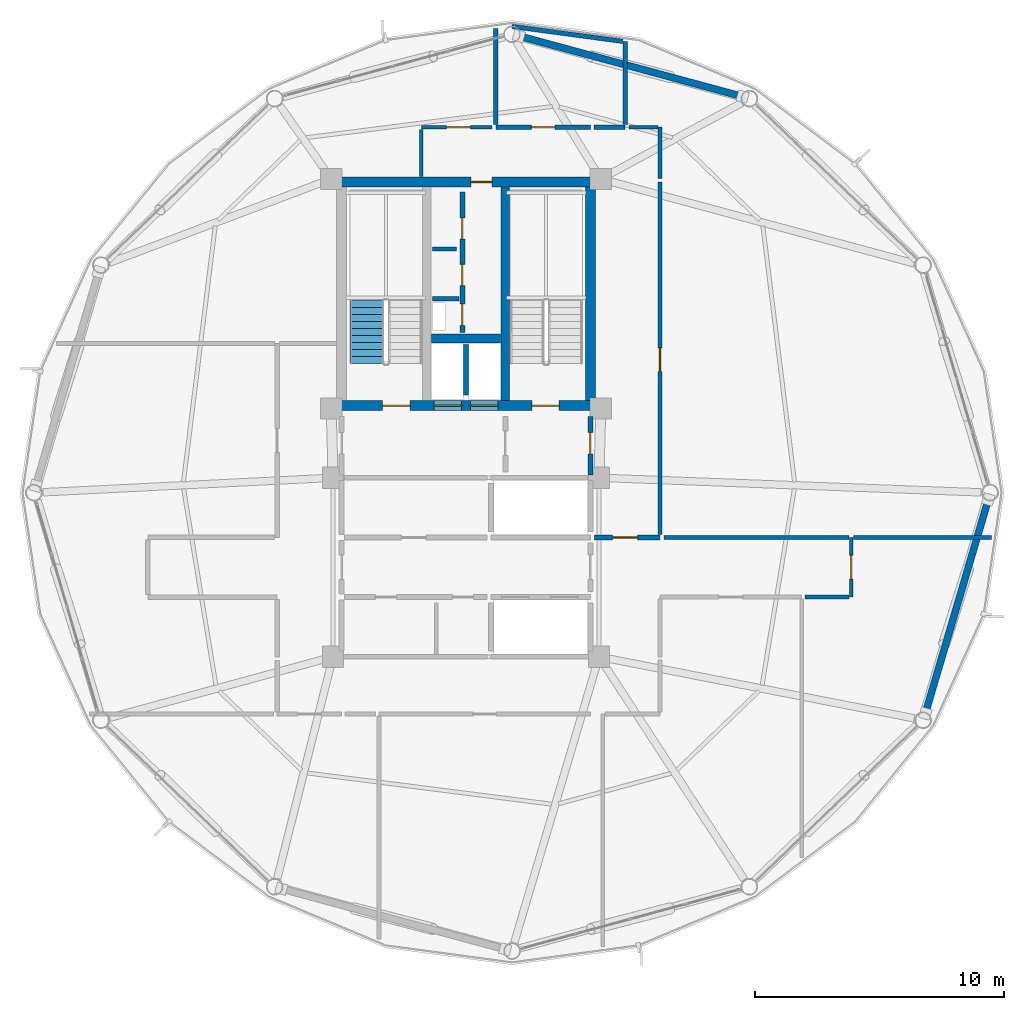
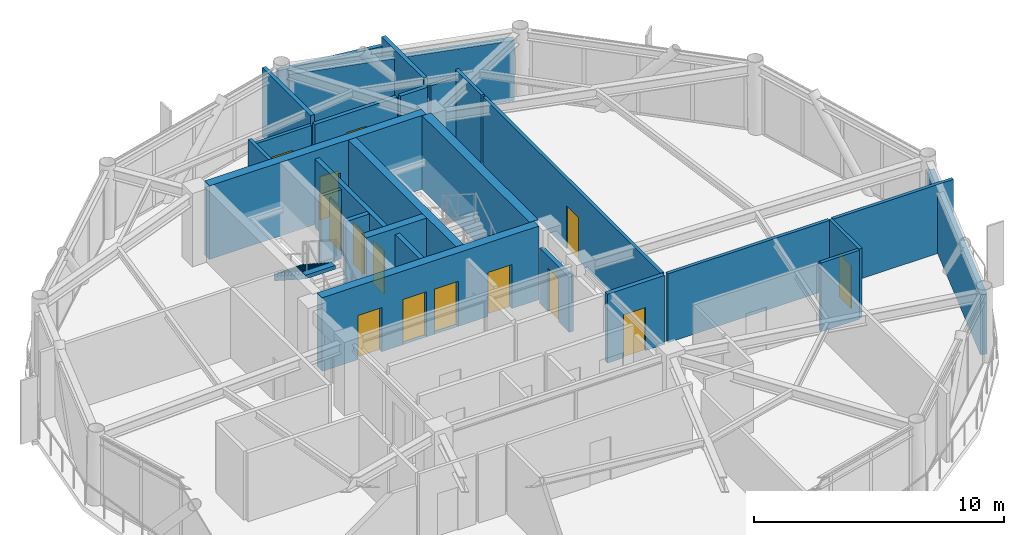
# One storey, part 24 of 28: 27 walls, 14 doors, 1 stair flight, 14 openings, 1 element without a shape of its own.
"""IFC4 building model written with IfcOpenShell, lengths in metres."""

from ifc_helpers import new_model, si_unit, direction, frame, frame_2d, origin, place, context, subcontext, project, spatial, polyline, rectangle, outline, extrude, material, layer, layer_set, type_object, element, fill, aggregate, save


model = new_model("IFC4")

# Units and contexts
model_context = context("Model", 3, precision=1e-05, world=origin(), true_north=direction((0.0, 1.0)))
body_context = subcontext(model_context, "Body", "Model", "MODEL_VIEW")
ifc_project = project(units=[si_unit("LENGTHUNIT", "METRE"), si_unit("AREAUNIT", "SQUARE_METRE"), si_unit("VOLUMEUNIT", "CUBIC_METRE"), si_unit("PLANEANGLEUNIT", "RADIAN"), si_unit("MASSUNIT", "GRAM", prefix="KILO")], contexts=[model_context])

# Site, building, storey
site_placement = place(None, origin())
site = spatial("IfcSite", under=ifc_project, at=site_placement, CompositionType="ELEMENT")
building_placement = place(site_placement, origin())
building = spatial("IfcBuilding", under=site, at=building_placement, Name="Varnakorn Sky Granary", CompositionType="ELEMENT")
storey_placement = place(building_placement, frame((0.0, 0.0, 207.60009765625)))
storey = spatial("IfcBuildingStorey", under=building, at=storey_placement, Name="L52", CompositionType="ELEMENT", Elevation=207.60009765625)

# Walls
ifc_material_1 = material(Name="Concrete C50/60", Category="concrete")
ifc_layer_1 = layer(ifc_material_1, 0.35009765625, Name="Concrete C50/60")
ifc_layer_set_1 = layer_set([ifc_layer_1], Name="Concrete C50/60")
wall_type_1 = type_object("IfcWallType", Name="WT-CW-INT-350", PredefinedType="SHEAR", material=ifc_layer_set_1)
wall_1_placement = place(storey_placement, frame((4.580078125, 3.7099609375, 0.0), z_axis=(0.0, 0.0, 1.0), x_axis=(0.0, 1.0, 0.0)))
element("IfcWall", 1, at=wall_1_placement, inside=storey, type_object=wall_type_1, Name="Stair ST-2 Core Wall L52", PredefinedType="SHEAR", context=body_context, shape_type="SweptSolid", body=[
    extrude(rectangle(XDim=8.580078125, YDim=0.35009765625, at=frame_2d((4.2900390625, 0.0))), origin(), (0.0, 0.0, 1.0), 3.591796875),
])
wall_2_placement = place(storey_placement, frame((1.610107421875, 6.199951171875, 0.0), z_axis=(0.0, 0.0, 1.0), x_axis=(1.0, 0.0, 0.0)))
element("IfcWall", 2, at=wall_2_placement, inside=storey, type_object=wall_type_1, Name="Core Lift Shaft Cross Wall L52", PredefinedType="SHEAR", context=body_context, shape_type="SweptSolid", body=[
    extrude(rectangle(XDim=2.77978515625, YDim=0.35009765625, at=frame_2d((1.389892578125, 0.0))), origin(), (0.0, 0.0, 1.0), 3.591796875),
])

# Wall, openings, doors
ifc_layer_2 = layer(ifc_material_1, 0.39990234375, Name="Concrete C50/60")
ifc_layer_set_2 = layer_set([ifc_layer_2], Name="Concrete C50/60")
wall_type_2 = type_object("IfcWallType", Name="WT-CW-SHEAR-400", PredefinedType="SHEAR", material=ifc_layer_set_2)
wall_3_placement = place(storey_placement, frame((-2.0, 3.5, 0.0), z_axis=(0.0, 0.0, 1.0), x_axis=(1.0, 0.0, 0.0)))
wall_3 = element("IfcWall", 3, at=wall_3_placement, inside=storey, type_object=wall_type_2, Name="Core South Shear Wall L52", PredefinedType="SHEAR", context=body_context, shape_type="SweptSolid", body=[
    extrude(rectangle(XDim=10.0, YDim=0.39990234375, at=frame_2d((5.0, 0.0))), origin(), (0.0, 0.0, 1.0), 3.591796875),
])
opening_1_placement = place(wall_3_placement, frame((1.64990234375, 0.0, 0.0)))
opening_1 = element("IfcOpeningElement", 4, at=opening_1_placement, cuts=wall_3, Name="Opening FD-90", PredefinedType="OPENING", context=body_context, shape_type="SweptSolid", body=[
    extrude(rectangle(XDim=1.10009765625, YDim=2.14990234375, at=frame_2d((0.550048828125, 1.074951171875))), frame((0.0, 0.2099609375, 0.0), z_axis=(0.0, -1.0, 0.0), x_axis=(1.0, 0.0, 0.0)), (0.0, 0.0, 1.0), 0.419921875),
])
opening_2_placement = place(wall_3_placement, frame((7.64990234375, 0.0, 0.0)))
opening_2 = element("IfcOpeningElement", 5, at=opening_2_placement, cuts=wall_3, Name="Opening FD-90", PredefinedType="OPENING", context=body_context, shape_type="SweptSolid", body=[
    extrude(rectangle(XDim=1.10009765625, YDim=2.14990234375, at=frame_2d((0.550048828125, 1.074951171875))), frame((0.0, 0.2099609375, 0.0), z_axis=(0.0, -1.0, 0.0), x_axis=(1.0, 0.0, 0.0)), (0.0, 0.0, 1.0), 0.419921875),
])
opening_3_placement = place(wall_3_placement, frame((3.719970703125, 0.0, 0.0)))
opening_3 = element("IfcOpeningElement", 6, at=opening_3_placement, cuts=wall_3, Name="Opening LD-01", PredefinedType="OPENING", context=body_context, shape_type="SweptSolid", body=[
    extrude(rectangle(XDim=1.10009765625, YDim=2.199951171875, at=frame_2d((0.550048828125, 1.10009765625))), frame((0.0, 0.2099609375, 0.0), z_axis=(0.0, -1.0, 0.0), x_axis=(1.0, 0.0, 0.0)), (0.0, 0.0, 1.0), 0.419921875),
])
opening_4_placement = place(wall_3_placement, frame((5.179931640625, 0.0, 0.0)))
opening_4 = element("IfcOpeningElement", 7, at=opening_4_placement, cuts=wall_3, Name="Opening LD-01", PredefinedType="OPENING", context=body_context, shape_type="SweptSolid", body=[
    extrude(rectangle(XDim=1.10009765625, YDim=2.199951171875, at=frame_2d((0.550048828125, 1.10009765625))), frame((0.0, 0.2099609375, 0.0), z_axis=(0.0, -1.0, 0.0), x_axis=(1.0, 0.0, 0.0)), (0.0, 0.0, 1.0), 0.419921875),
])
ifc_material_2 = material(Name="Brushed Bronze Stainless Steel", Category="steel")
door_type_1 = type_object("IfcDoorType", Name="DR-LD-1100", OperationType="DOUBLE_DOOR_SLIDING", PredefinedType="DOOR", material=ifc_material_2)
door_1_placement = place(opening_3_placement, origin())
door_1 = element("IfcDoor", 8, at=door_1_placement, inside=storey, type_object=door_type_1, Name="Firefighting Lift FFL-1 Landing Door L52", OperationType="DOUBLE_DOOR_SLIDING", OverallHeight=2.199951171875, OverallWidth=1.10009765625, PredefinedType="DOOR", context=body_context, shape_type="SweptSolid", body=[
    extrude(rectangle(XDim=1.10009765625, YDim=2.199951171875, at=frame_2d((0.550048828125, 1.10009765625))), frame((0.0, 0.02490234375, 0.0), z_axis=(0.0, -1.0, 0.0), x_axis=(1.0, 0.0, 0.0)), (0.0, 0.0, 1.0), 0.050048828125),
])
fill(opening_3, door_1)
door_2_placement = place(opening_4_placement, origin())
door_2 = element("IfcDoor", 9, at=door_2_placement, inside=storey, type_object=door_type_1, Name="Firefighting Lift FFL-2 Landing Door L52", OperationType="DOUBLE_DOOR_SLIDING", OverallHeight=2.199951171875, OverallWidth=1.10009765625, PredefinedType="DOOR", context=body_context, shape_type="SweptSolid", body=[
    extrude(rectangle(XDim=1.10009765625, YDim=2.199951171875, at=frame_2d((0.550048828125, 1.10009765625))), frame((0.0, 0.02490234375, 0.0), z_axis=(0.0, -1.0, 0.0), x_axis=(1.0, 0.0, 0.0)), (0.0, 0.0, 1.0), 0.050048828125),
])
fill(opening_4, door_2)
ifc_material_3 = material(Name="Galvanised Painted Steel Leaf", Category="steel")
door_type_2 = type_object("IfcDoorType", Name="DR-STAIR-1100", OperationType="NOTDEFINED", PredefinedType="DOOR", material=ifc_material_3)
door_3_placement = place(opening_1_placement, origin())
door_3 = element("IfcDoor", 10, at=door_3_placement, inside=storey, type_object=door_type_2, Name="Stair ST-1 Protected Fire Door L52", OperationType="SINGLE_SWING_LEFT", OverallHeight=2.14990234375, OverallWidth=1.10009765625, PredefinedType="DOOR", context=body_context, shape_type="SweptSolid", body=[
    extrude(rectangle(XDim=1.10009765625, YDim=2.14990234375, at=frame_2d((0.550048828125, 1.074951171875))), frame((0.0, 0.02490234375, 0.0), z_axis=(0.0, -1.0, 0.0), x_axis=(1.0, 0.0, 0.0)), (0.0, 0.0, 1.0), 0.050048828125),
])
fill(opening_1, door_3)
door_4_placement = place(opening_2_placement, origin())
door_4 = element("IfcDoor", 11, at=door_4_placement, inside=storey, type_object=door_type_2, Name="Stair ST-2 Protected Fire Door L52", OperationType="SINGLE_SWING_RIGHT", OverallHeight=2.14990234375, OverallWidth=1.10009765625, PredefinedType="DOOR", context=body_context, shape_type="SweptSolid", body=[
    extrude(rectangle(XDim=1.10009765625, YDim=2.14990234375, at=frame_2d((0.550048828125, 1.074951171875))), frame((0.0, 0.02490234375, 0.0), z_axis=(0.0, -1.0, 0.0), x_axis=(1.0, 0.0, 0.0)), (0.0, 0.0, 1.0), 0.050048828125),
])
fill(opening_2, door_4)

# Wall, opening, door
wall_4_placement = place(storey_placement, frame((-2.0, 12.5, 0.0), z_axis=(0.0, 0.0, 1.0), x_axis=(1.0, 0.0, 0.0)))
wall_4 = element("IfcWall", 12, at=wall_4_placement, inside=storey, type_object=wall_type_2, Name="Core North Shear Wall L52", PredefinedType="SHEAR", context=body_context, shape_type="SweptSolid", body=[
    extrude(rectangle(XDim=10.0, YDim=0.39990234375, at=frame_2d((5.0, 0.0))), origin(), (0.0, 0.0, 1.0), 3.591796875),
])
opening_5_placement = place(wall_4_placement, frame((5.199951171875, 0.0, 0.0)))
opening_5 = element("IfcOpeningElement", 13, at=opening_5_placement, cuts=wall_4, Name="Opening FD-60N", PredefinedType="OPENING", context=body_context, shape_type="SweptSolid", body=[
    extrude(rectangle(XDim=0.85009765625, YDim=2.10009765625, at=frame_2d((0.425048828125, 1.050048828125))), frame((0.0, 0.2099609375, 0.0), z_axis=(0.0, -1.0, 0.0), x_axis=(1.0, 0.0, 0.0)), (0.0, 0.0, 1.0), 0.419921875),
])
ifc_material_4 = material(Name="Acoustic Timber Fire Leaf", Category="wood")
door_type_3 = type_object("IfcDoorType", Name="DR-FD60-850", OperationType="NOTDEFINED", PredefinedType="DOOR", material=ifc_material_4)
door_5_placement = place(opening_5_placement, origin())
door_5 = element("IfcDoor", 14, at=door_5_placement, inside=storey, type_object=door_type_3, Name="Core North Service Door L52", OperationType="SINGLE_SWING_RIGHT", OverallHeight=2.10009765625, OverallWidth=0.85009765625, PredefinedType="DOOR", context=body_context, shape_type="SweptSolid", body=[
    extrude(rectangle(XDim=0.85009765625, YDim=2.10009765625, at=frame_2d((0.425048828125, 1.050048828125))), frame((0.0, 0.02490234375, 0.0), z_axis=(0.0, -1.0, 0.0), x_axis=(1.0, 0.0, 0.0)), (0.0, 0.0, 1.0), 0.050048828125),
])
fill(opening_5, door_5)

# Walls
wall_5_placement = place(storey_placement, frame((8.0, 3.7099609375, 0.0), z_axis=(0.0, 0.0, 1.0), x_axis=(0.0, 1.0, 0.0)))
element("IfcWall", 15, at=wall_5_placement, inside=storey, type_object=wall_type_2, Name="Core East Shear Wall L52", PredefinedType="SHEAR", context=body_context, shape_type="SweptSolid", body=[
    extrude(rectangle(XDim=8.580078125, YDim=0.39990234375, at=frame_2d((4.2900390625, 0.0))), origin(), (0.0, 0.0, 1.0), 3.591796875),
])
ifc_material_5 = material(Name="Precast concrete C40/50", Category="concrete")
ifc_layer_3 = layer(ifc_material_5, 0.280029296875, Name="Precast concrete C40/50")
ifc_layer_set_3 = layer_set([ifc_layer_3], Name="Precast concrete C40/50")
wall_type_3 = type_object("IfcWallType", Name="WT-EW-CRN-280", PredefinedType="SOLIDWALL", material=ifc_layer_set_3)
wall_6_placement = place(storey_placement, frame((5.125, 18.37060546875, 0.0), z_axis=(0.0, 0.0, 1.0), x_axis=(0.965198020843, -0.261520134139, 0.0)))
element("IfcWall", 16, at=wall_6_placement, inside=storey, type_object=wall_type_3, Name="Agritech Insulated Precast Facade Wall L52-P03", PredefinedType="SOLIDWALL", context=body_context, shape_type="SweptSolid", body=[
    extrude(rectangle(XDim=9.3271484375, YDim=0.280029296875, at=frame_2d((4.66357421875, 0.0))), origin(), (0.0, 0.0, 1.0), 2.929931640625),
])
wall_7_placement = place(storey_placement, frame((24.009521484375, -0.2734375, 0.0), z_axis=(0.0, 0.0, 1.0), x_axis=(-0.282359283475, -0.959308727697, 0.0)))
element("IfcWall", 17, at=wall_7_placement, inside=storey, type_object=wall_type_3, Name="Agritech Insulated Precast Facade Wall L52-P12", PredefinedType="SOLIDWALL", context=body_context, shape_type="SweptSolid", body=[
    extrude(rectangle(XDim=8.973388671875, YDim=0.280029296875, at=frame_2d((4.48681640625, 0.0))), origin(), (0.0, 0.0, 1.0), 2.929931640625),
])

# Wall, openings, doors
ifc_material_6 = material(Name="Autoclaved Aerated Concrete Blockwork", Category="masonry")
ifc_layer_4 = layer(ifc_material_6, 0.199951171875, Name="Autoclaved Aerated Concrete Blockwork")
ifc_layer_set_4 = layer_set([ifc_layer_4], Name="Autoclaved Aerated Concrete Blockwork")
wall_type_4 = type_object("IfcWallType", Name="WT-FIRE-200", PredefinedType="MOVABLE", material=ifc_layer_set_4)
wall_8_placement = place(storey_placement, frame((2.85009765625, 6.449951171875, 0.0), z_axis=(0.0, 0.0, 1.0), x_axis=(0.0, 1.0, 0.0)))
wall_8 = element("IfcWall", 18, at=wall_8_placement, inside=storey, type_object=wall_type_4, Name="Interior Partition Wall L52-011", PredefinedType="MOVABLE", context=body_context, shape_type="SweptSolid", body=[
    extrude(rectangle(XDim=5.650146484375, YDim=0.199951171875, at=frame_2d((2.8251953125, 0.0))), origin(), (0.0, 0.0, 1.0), 3.35986328125),
])
opening_6_placement = place(wall_8_placement, frame((1.8798828125, 0.0, 0.0)))
opening_6 = element("IfcOpeningElement", 19, at=opening_6_placement, cuts=wall_8, Name="Opening RD-85", PredefinedType="OPENING", context=body_context, shape_type="SweptSolid", body=[
    extrude(rectangle(XDim=0.85009765625, YDim=2.050048828125, at=frame_2d((0.425048828125, 1.02490234375))), frame((0.0, 0.10986328125, 0.0), z_axis=(0.0, -1.0, 0.0), x_axis=(1.0, 0.0, 0.0)), (0.0, 0.0, 1.0), 0.219970703125),
])
opening_7_placement = place(wall_8_placement, frame((3.75, 0.0, 0.0)))
opening_7 = element("IfcOpeningElement", 20, at=opening_7_placement, cuts=wall_8, Name="Opening FD-60N", PredefinedType="OPENING", context=body_context, shape_type="SweptSolid", body=[
    extrude(rectangle(XDim=0.85009765625, YDim=2.10009765625, at=frame_2d((0.425048828125, 1.050048828125))), frame((0.0, 0.10986328125, 0.0), z_axis=(0.0, -1.0, 0.0), x_axis=(1.0, 0.0, 0.0)), (0.0, 0.0, 1.0), 0.219970703125),
])
opening_8_placement = place(wall_8_placement, frame((0.280029296875, 0.0, 0.0)))
opening_8 = element("IfcOpeningElement", 21, at=opening_8_placement, cuts=wall_8, Name="Opening FD-60N", PredefinedType="OPENING", context=body_context, shape_type="SweptSolid", body=[
    extrude(rectangle(XDim=0.85009765625, YDim=2.10009765625, at=frame_2d((0.425048828125, 1.050048828125))), frame((0.0, 0.10986328125, 0.0), z_axis=(0.0, -1.0, 0.0), x_axis=(1.0, 0.0, 0.0)), (0.0, 0.0, 1.0), 0.219970703125),
])
door_6_placement = place(opening_7_placement, origin())
door_6 = element("IfcDoor", 22, at=door_6_placement, inside=storey, type_object=door_type_3, Name="Interior Door L52-011-2", OperationType="SINGLE_SWING_LEFT", OverallHeight=2.10009765625, OverallWidth=0.85009765625, PredefinedType="DOOR", context=body_context, shape_type="SweptSolid", body=[
    extrude(rectangle(XDim=0.85009765625, YDim=2.10009765625, at=frame_2d((0.425048828125, 1.050048828125))), frame((0.0, 0.02490234375, 0.0), z_axis=(0.0, -1.0, 0.0), x_axis=(1.0, 0.0, 0.0)), (0.0, 0.0, 1.0), 0.050048828125),
])
fill(opening_7, door_6)
door_7_placement = place(opening_8_placement, origin())
door_7 = element("IfcDoor", 23, at=door_7_placement, inside=storey, type_object=door_type_3, Name="Interior Door L52-011-3", OperationType="SINGLE_SWING_RIGHT", OverallHeight=2.10009765625, OverallWidth=0.85009765625, PredefinedType="DOOR", context=body_context, shape_type="SweptSolid", body=[
    extrude(rectangle(XDim=0.85009765625, YDim=2.10009765625, at=frame_2d((0.425048828125, 1.050048828125))), frame((0.0, 0.02490234375, 0.0), z_axis=(0.0, -1.0, 0.0), x_axis=(1.0, 0.0, 0.0)), (0.0, 0.0, 1.0), 0.050048828125),
])
fill(opening_8, door_7)
door_type_4 = type_object("IfcDoorType", Name="DR-RIS-850", OperationType="NOTDEFINED", PredefinedType="DOOR", material=ifc_material_3)
door_8_placement = place(opening_6_placement, origin())
door_8 = element("IfcDoor", 24, at=door_8_placement, inside=storey, type_object=door_type_4, Name="MEP Riser Shaft Access Door L52-011-1", OperationType="SINGLE_SWING_RIGHT", OverallHeight=2.050048828125, OverallWidth=0.85009765625, PredefinedType="DOOR", context=body_context, shape_type="SweptSolid", body=[
    extrude(rectangle(XDim=0.85009765625, YDim=2.050048828125, at=frame_2d((0.425048828125, 1.02490234375))), frame((0.0, 0.02490234375, 0.0), z_axis=(0.0, -1.0, 0.0), x_axis=(1.0, 0.0, 0.0)), (0.0, 0.0, 1.0), 0.050048828125),
])
fill(opening_6, door_8)

# Wall, opening, door
wall_9_placement = place(storey_placement, frame((8.0, 0.719970703125, 0.0), z_axis=(0.0, 0.0, 1.0), x_axis=(0.0, 1.0, 0.0)))
wall_9 = element("IfcWall", 25, at=wall_9_placement, inside=storey, type_object=wall_type_4, Name="Interior Partition Wall L52-014", PredefinedType="MOVABLE", context=body_context, shape_type="SweptSolid", body=[
    extrude(rectangle(XDim=2.35009765625, YDim=0.199951171875, at=frame_2d((1.175048828125, 0.0))), origin(), (0.0, 0.0, 1.0), 2.69189453125),
])
opening_9_placement = place(wall_9_placement, frame((0.844970703125, 0.0, 0.0)))
opening_9 = element("IfcOpeningElement", 26, at=opening_9_placement, cuts=wall_9, Name="Opening FD-60N", PredefinedType="OPENING", context=body_context, shape_type="SweptSolid", body=[
    extrude(rectangle(XDim=0.85009765625, YDim=2.10009765625, at=frame_2d((0.425048828125, 1.050048828125))), frame((0.0, 0.10986328125, 0.0), z_axis=(0.0, -1.0, 0.0), x_axis=(1.0, 0.0, 0.0)), (0.0, 0.0, 1.0), 0.219970703125),
])
door_9_placement = place(opening_9_placement, origin())
door_9 = element("IfcDoor", 27, at=door_9_placement, inside=storey, type_object=door_type_3, Name="Interior Door L52-014-1", OperationType="SINGLE_SWING_LEFT", OverallHeight=2.10009765625, OverallWidth=0.85009765625, PredefinedType="DOOR", context=body_context, shape_type="SweptSolid", body=[
    extrude(rectangle(XDim=0.85009765625, YDim=2.10009765625, at=frame_2d((0.425048828125, 1.050048828125))), frame((0.0, 0.02490234375, 0.0), z_axis=(0.0, -1.0, 0.0), x_axis=(1.0, 0.0, 0.0)), (0.0, 0.0, 1.0), 0.050048828125),
])
fill(opening_9, door_9)

wall_10_placement = place(storey_placement, frame((8.159912109375, -1.800048828125, 0.0), z_axis=(0.0, 0.0, 1.0), x_axis=(1.0, 0.0, 0.0)))
wall_10 = element("IfcWall", 28, at=wall_10_placement, inside=storey, type_object=wall_type_4, Name="Interior Partition Wall L52-019", PredefinedType="MOVABLE", context=body_context, shape_type="SweptSolid", body=[
    extrude(rectangle(XDim=2.64013671875, YDim=0.199951171875, at=frame_2d((1.320068359375, 0.0))), origin(), (0.0, 0.0, 1.0), 3.35986328125),
])
opening_10_placement = place(wall_10_placement, frame((0.739990234375, 0.0, 0.0)))
opening_10 = element("IfcOpeningElement", 29, at=opening_10_placement, cuts=wall_10, Name="Opening FD-60", PredefinedType="OPENING", context=body_context, shape_type="SweptSolid", body=[
    extrude(rectangle(XDim=1.0, YDim=2.10009765625, at=frame_2d((0.5, 1.050048828125))), frame((0.0, 0.10986328125, 0.0), z_axis=(0.0, -1.0, 0.0), x_axis=(1.0, 0.0, 0.0)), (0.0, 0.0, 1.0), 0.219970703125),
])
door_type_5 = type_object("IfcDoorType", Name="DR-FD60-1000", OperationType="NOTDEFINED", PredefinedType="DOOR", material=ifc_material_4)
door_10_placement = place(opening_10_placement, origin())
door_10 = element("IfcDoor", 30, at=door_10_placement, inside=storey, type_object=door_type_5, Name="Interior Door L52-019-1", OperationType="SINGLE_SWING_LEFT", OverallHeight=2.10009765625, OverallWidth=1.0, PredefinedType="DOOR", context=body_context, shape_type="SweptSolid", body=[
    extrude(rectangle(XDim=1.0, YDim=2.10009765625, at=frame_2d((0.5, 1.050048828125))), frame((0.0, 0.02490234375, 0.0), z_axis=(0.0, -1.0, 0.0), x_axis=(1.0, 0.0, 0.0)), (0.0, 0.0, 1.0), 0.050048828125),
])
fill(opening_10, door_10)

ifc_material_7 = material(Name="Gypsum Plasterboard on Steel Stud", Category="steel")
ifc_layer_5 = layer(ifc_material_7, 0.14990234375, Name="Gypsum Plasterboard on Steel Stud")
ifc_layer_set_5 = layer_set([ifc_layer_5], Name="Gypsum Plasterboard on Steel Stud")
wall_type_5 = type_object("IfcWallType", Name="WT-PART-150", PredefinedType="PARTITIONING", material=ifc_layer_set_5)
wall_11_placement = place(storey_placement, frame((18.5, -4.199951171875, 0.0), z_axis=(0.0, 0.0, 1.0), x_axis=(0.0, 1.0, 0.0)))
wall_11 = element("IfcWall", 31, at=wall_11_placement, inside=storey, type_object=wall_type_5, Name="Interior Partition Wall L52-024", PredefinedType="PARTITIONING", context=body_context, shape_type="SweptSolid", body=[
    extrude(rectangle(XDim=2.39990234375, YDim=0.14990234375, at=frame_2d((1.199951171875, 0.0))), origin(), (0.0, 0.0, 1.0), 3.35986328125),
])
opening_11_placement = place(wall_11_placement, frame((0.72509765625, 0.0, 0.0)))
opening_11 = element("IfcOpeningElement", 32, at=opening_11_placement, cuts=wall_11, Name="Opening ID-95", PredefinedType="OPENING", context=body_context, shape_type="SweptSolid", body=[
    extrude(rectangle(XDim=0.949951171875, YDim=2.10009765625, at=frame_2d((0.47509765625, 1.050048828125))), frame((0.0, 0.0849609375, 0.0), z_axis=(0.0, -1.0, 0.0), x_axis=(1.0, 0.0, 0.0)), (0.0, 0.0, 1.0), 0.169921875),
])
ifc_material_8 = material(Name="Solid-Core Teak Veneer Leaf", Category="timber")
door_type_6 = type_object("IfcDoorType", Name="DR-INT-950", OperationType="NOTDEFINED", PredefinedType="DOOR", material=ifc_material_8)
door_11_placement = place(opening_11_placement, origin())
door_11 = element("IfcDoor", 33, at=door_11_placement, inside=storey, type_object=door_type_6, Name="Interior Door L52-024-1", OperationType="SINGLE_SWING_RIGHT", OverallHeight=2.10009765625, OverallWidth=0.949951171875, PredefinedType="DOOR", context=body_context, shape_type="SweptSolid", body=[
    extrude(rectangle(XDim=0.949951171875, YDim=2.10009765625, at=frame_2d((0.47509765625, 1.050048828125))), frame((0.0, 0.02490234375, 0.0), z_axis=(0.0, -1.0, 0.0), x_axis=(1.0, 0.0, 0.0)), (0.0, 0.0, 1.0), 0.050048828125),
])
fill(opening_11, door_11)

wall_12_placement = place(storey_placement, frame((4.050048828125, 14.699951171875, 0.0), z_axis=(0.0, 0.0, 1.0), x_axis=(-1.0, 0.0, 0.0)))
wall_12 = element("IfcWall", 34, at=wall_12_placement, inside=storey, type_object=wall_type_5, Name="Interior Partition Wall L52-026", PredefinedType="PARTITIONING", context=body_context, shape_type="SweptSolid", body=[
    extrude(rectangle(XDim=2.85009765625, YDim=0.14990234375, at=frame_2d((1.425048828125, 0.0))), origin(), (0.0, 0.0, 1.0), 3.011962890625),
])
opening_12_placement = place(wall_12_placement, frame((0.875, 0.0, 0.0)))
opening_12 = element("IfcOpeningElement", 35, at=opening_12_placement, cuts=wall_12, Name="Opening ID-95", PredefinedType="OPENING", context=body_context, shape_type="SweptSolid", body=[
    extrude(rectangle(XDim=0.949951171875, YDim=2.10009765625, at=frame_2d((0.47509765625, 1.050048828125))), frame((0.0, 0.0849609375, 0.0), z_axis=(0.0, -1.0, 0.0), x_axis=(1.0, 0.0, 0.0)), (0.0, 0.0, 1.0), 0.169921875),
])
door_12_placement = place(opening_12_placement, origin())
door_12 = element("IfcDoor", 36, at=door_12_placement, inside=storey, type_object=door_type_6, Name="Interior Door L52-026-1", OperationType="SINGLE_SWING_RIGHT", OverallHeight=2.10009765625, OverallWidth=0.949951171875, PredefinedType="DOOR", context=body_context, shape_type="SweptSolid", body=[
    extrude(rectangle(XDim=0.949951171875, YDim=2.10009765625, at=frame_2d((0.47509765625, 1.050048828125))), frame((0.0, 0.02490234375, 0.0), z_axis=(0.0, -1.0, 0.0), x_axis=(1.0, 0.0, 0.0)), (0.0, 0.0, 1.0), 0.050048828125),
])
fill(opening_12, door_12)

wall_13_placement = place(storey_placement, frame((10.800048828125, -1.68994140625, 0.0), z_axis=(0.0, 0.0, 1.0), x_axis=(0.0, 1.0, 0.0)))
wall_13 = element("IfcWall", 37, at=wall_13_placement, inside=storey, type_object=wall_type_5, Name="Interior Partition Wall L52-027", PredefinedType="PARTITIONING", context=body_context, shape_type="SweptSolid", body=[
    extrude(rectangle(XDim=14.18994140625, YDim=0.14990234375, at=frame_2d((7.094970703125, 0.0))), origin(), (0.0, 0.0, 1.0), 3.35986328125),
])
opening_13_placement = place(wall_13_placement, frame((6.56494140625, 0.0, 0.0)))
opening_13 = element("IfcOpeningElement", 38, at=opening_13_placement, cuts=wall_13, Name="Opening ID-95", PredefinedType="OPENING", context=body_context, shape_type="SweptSolid", body=[
    extrude(rectangle(XDim=0.949951171875, YDim=2.10009765625, at=frame_2d((0.47509765625, 1.050048828125))), frame((0.0, 0.0849609375, 0.0), z_axis=(0.0, -1.0, 0.0), x_axis=(1.0, 0.0, 0.0)), (0.0, 0.0, 1.0), 0.169921875),
])
door_13_placement = place(opening_13_placement, origin())
door_13 = element("IfcDoor", 39, at=door_13_placement, inside=storey, type_object=door_type_6, Name="Interior Door L52-027-1", OperationType="SINGLE_SWING_LEFT", OverallHeight=2.10009765625, OverallWidth=0.949951171875, PredefinedType="DOOR", context=body_context, shape_type="SweptSolid", body=[
    extrude(rectangle(XDim=0.949951171875, YDim=2.10009765625, at=frame_2d((0.47509765625, 1.050048828125))), frame((0.0, 0.02490234375, 0.0), z_axis=(0.0, -1.0, 0.0), x_axis=(1.0, 0.0, 0.0)), (0.0, 0.0, 1.0), 0.050048828125),
])
fill(opening_13, door_13)

# Walls
wall_14_placement = place(storey_placement, frame((1.64990234375, 9.800048828125, 0.0), z_axis=(0.0, 0.0, 1.0), x_axis=(1.0, 0.0, 0.0)))
element("IfcWall", 40, at=wall_14_placement, inside=storey, type_object=wall_type_5, Name="Interior Partition Wall L52-028", PredefinedType="PARTITIONING", context=body_context, shape_type="SweptSolid", body=[
    extrude(rectangle(XDim=0.960205078125, YDim=0.14990234375, at=frame_2d((0.47998046875, 0.0))), origin(), (0.0, 0.0, 1.0), 3.35986328125),
])
wall_15_placement = place(storey_placement, frame((16.635009765625, -4.199951171875, 0.0), z_axis=(0.0, 0.0, 1.0), x_axis=(1.0, 0.0, 0.0)))
element("IfcWall", 41, at=wall_15_placement, inside=storey, type_object=wall_type_5, Name="Interior Partition Wall L52-043", PredefinedType="PARTITIONING", context=body_context, shape_type="SweptSolid", body=[
    extrude(rectangle(XDim=1.780029296875, YDim=0.14990234375, at=frame_2d((0.89013671875, 0.0))), origin(), (0.0, 0.0, 1.0), 3.35986328125),
])
wall_16_placement = place(storey_placement, frame((18.5849609375, -1.800048828125, 0.0), z_axis=(0.0, 0.0, 1.0), x_axis=(1.0, 0.0, 0.0)))
element("IfcWall", 42, at=wall_16_placement, inside=storey, type_object=wall_type_5, Name="Interior Partition Wall L52-044", PredefinedType="PARTITIONING", context=body_context, shape_type="SweptSolid", body=[
    extrude(rectangle(XDim=5.551025390625, YDim=0.14990234375, at=frame_2d((2.775390625, 0.0))), origin(), (0.0, 0.0, 1.0), 3.35986328125),
])
wall_17_placement = place(storey_placement, frame((1.199951171875, 14.614990234375, 0.0), z_axis=(0.0, 0.0, 1.0), x_axis=(0.0, -1.0, 0.0)))
element("IfcWall", 43, at=wall_17_placement, inside=storey, type_object=wall_type_5, Name="Interior Partition Wall L52-051", PredefinedType="PARTITIONING", context=body_context, shape_type="SweptSolid", body=[
    extrude(rectangle(XDim=1.905029296875, YDim=0.14990234375, at=frame_2d((0.95263671875, 0.0))), origin(), (0.0, 0.0, 1.0), 3.35986328125),
])
wall_18_placement = place(storey_placement, frame((10.800048828125, 12.635009765625, 0.0), z_axis=(0.0, 0.0, 1.0), x_axis=(0.0, 1.0, 0.0)))
element("IfcWall", 44, at=wall_18_placement, inside=storey, type_object=wall_type_5, Name="Interior Partition Wall L52-054", PredefinedType="PARTITIONING", context=body_context, shape_type="SweptSolid", body=[
    extrude(rectangle(XDim=2.06494140625, YDim=0.14990234375, at=frame_2d((1.032470703125, 0.0))), origin(), (0.0, 0.0, 1.0), 3.35986328125),
])
wall_19_placement = place(storey_placement, frame((10.715087890625, 14.699951171875, 0.0), z_axis=(0.0, 0.0, 1.0), x_axis=(-1.0, 0.0, 0.0)))
element("IfcWall", 45, at=wall_19_placement, inside=storey, type_object=wall_type_5, Name="Interior Partition Wall L52-055", PredefinedType="PARTITIONING", context=body_context, shape_type="SweptSolid", body=[
    extrude(rectangle(XDim=1.1650390625, YDim=0.14990234375, at=frame_2d((0.58251953125, 0.0))), origin(), (0.0, 0.0, 1.0), 3.011962890625),
])
wall_20_placement = place(storey_placement, frame((18.4150390625, -1.800048828125, 0.0), z_axis=(0.0, 0.0, 1.0), x_axis=(-1.0, 0.0, 0.0)))
element("IfcWall", 46, at=wall_20_placement, inside=storey, type_object=wall_type_5, Name="Interior Partition Wall L52-056", PredefinedType="PARTITIONING", context=body_context, shape_type="SweptSolid", body=[
    extrude(rectangle(XDim=7.455078125, YDim=0.14990234375, at=frame_2d((3.7275390625, 0.0))), origin(), (0.0, 0.0, 1.0), 3.35986328125),
])

# Wall, opening, door
ifc_material_9 = material(Name="Moisture-Resistant Gypsum on Stud", Category="gypsum")
ifc_layer_6 = layer(ifc_material_9, 0.179931640625, Name="Moisture-Resistant Gypsum on Stud")
ifc_layer_set_6 = layer_set([ifc_layer_6], Name="Moisture-Resistant Gypsum on Stud")
wall_type_6 = type_object("IfcWallType", Name="WT-PLUMB-180", PredefinedType="PLUMBINGWALL", material=ifc_layer_set_6)
wall_21_placement = place(storey_placement, frame((8.0, 14.699951171875, 0.0), z_axis=(0.0, 0.0, 1.0), x_axis=(-1.0, 0.0, 0.0)))
wall_21 = element("IfcWall", 47, at=wall_21_placement, inside=storey, type_object=wall_type_6, Name="Interior Partition Wall L52-020", PredefinedType="PLUMBINGWALL", context=body_context, shape_type="SweptSolid", body=[
    extrude(rectangle(XDim=3.800048828125, YDim=0.179931640625, at=frame_2d((1.89990234375, 0.0))), origin(), (0.0, 0.0, 1.0), 3.011962890625),
])
opening_14_placement = place(wall_21_placement, frame((1.425048828125, 0.0, 0.0)))
opening_14 = element("IfcOpeningElement", 48, at=opening_14_placement, cuts=wall_21, Name="Opening ID-95", PredefinedType="OPENING", context=body_context, shape_type="SweptSolid", body=[
    extrude(rectangle(XDim=0.949951171875, YDim=2.10009765625, at=frame_2d((0.47509765625, 1.050048828125))), frame((0.0, 0.10009765625, 0.0), z_axis=(0.0, -1.0, 0.0), x_axis=(1.0, 0.0, 0.0)), (0.0, 0.0, 1.0), 0.199951171875),
])
door_14_placement = place(opening_14_placement, origin())
door_14 = element("IfcDoor", 49, at=door_14_placement, inside=storey, type_object=door_type_6, Name="Interior Door L52-020-1", OperationType="SINGLE_SWING_RIGHT", OverallHeight=2.10009765625, OverallWidth=0.949951171875, PredefinedType="DOOR", context=body_context, shape_type="SweptSolid", body=[
    extrude(rectangle(XDim=0.949951171875, YDim=2.10009765625, at=frame_2d((0.47509765625, 1.050048828125))), frame((0.0, 0.02490234375, 0.0), z_axis=(0.0, -1.0, 0.0), x_axis=(1.0, 0.0, 0.0)), (0.0, 0.0, 1.0), 0.050048828125),
])
fill(opening_14, door_14)

# Walls
wall_22_placement = place(storey_placement, frame((9.39990234375, 14.699951171875, 0.0), z_axis=(0.0, 0.0, 1.0), x_axis=(-1.0, 0.0, 0.0)))
element("IfcWall", 50, at=wall_22_placement, inside=storey, type_object=wall_type_6, Name="Interior Partition Wall L52-034", PredefinedType="PLUMBINGWALL", context=body_context, shape_type="SweptSolid", body=[
    extrude(rectangle(XDim=1.25, YDim=0.179931640625, at=frame_2d((0.625, 0.0))), origin(), (0.0, 0.0, 1.0), 3.011962890625),
])
wall_23_placement = place(storey_placement, frame((4.199951171875, 18.6669921875, 0.0), z_axis=(0.0, 0.0, 1.0), x_axis=(0.0, -1.0, 0.0)))
element("IfcWall", 51, at=wall_23_placement, inside=storey, type_object=wall_type_6, Name="Interior Partition Wall L52-053", PredefinedType="PLUMBINGWALL", context=body_context, shape_type="SweptSolid", body=[
    extrude(rectangle(XDim=3.866943359375, YDim=0.179931640625, at=frame_2d((1.93359375, 0.0))), origin(), (0.0, 0.0, 1.0), 3.35986328125),
])
wall_24_placement = place(storey_placement, frame((9.39990234375, 14.800048828125, 0.0), z_axis=(0.0, 0.0, 1.0), x_axis=(0.0, 1.0, 0.0)))
element("IfcWall", 52, at=wall_24_placement, inside=storey, type_object=wall_type_6, Name="Interior Partition Wall L52-057", PredefinedType="PLUMBINGWALL", context=body_context, shape_type="SweptSolid", body=[
    extrude(rectangle(XDim=3.33984375, YDim=0.179931640625, at=frame_2d((1.669921875, 0.0))), origin(), (0.0, 0.0, 1.0), 3.35986328125),
])
wall_25_placement = place(storey_placement, frame((9.301025390625, 18.153076171875, 0.0), z_axis=(0.0, 0.0, 1.0), x_axis=(-0.990982679397, 0.133990033718, 0.0)))
element("IfcWall", 53, at=wall_25_placement, inside=storey, type_object=wall_type_6, Name="Interior Partition Wall L52-058", PredefinedType="PLUMBINGWALL", context=body_context, shape_type="SweptSolid", body=[
    extrude(rectangle(XDim=4.491455078125, YDim=0.179931640625, at=frame_2d((2.24560546875, 0.0))), origin(), (0.0, 0.0, 1.0), 2.94189453125),
])
ifc_layer_7 = layer(ifc_material_6, 0.199951171875, Name="Autoclaved Aerated Concrete Blockwork")
ifc_layer_set_7 = layer_set([ifc_layer_7], Name="Autoclaved Aerated Concrete Blockwork")
wall_type_7 = type_object("IfcWallType", Name="WT-SHAFT-200", PredefinedType="SOLIDWALL", material=ifc_layer_set_7)
wall_26_placement = place(storey_placement, frame((3.0, 3.919921875, 0.0), z_axis=(0.0, 0.0, 1.0), x_axis=(0.0, 1.0, 0.0)))
element("IfcWall", 54, at=wall_26_placement, inside=storey, type_object=wall_type_7, Name="Interior Partition Wall L52-001", PredefinedType="SOLIDWALL", context=body_context, shape_type="SweptSolid", body=[
    extrude(rectangle(XDim=2.030029296875, YDim=0.199951171875, at=frame_2d((1.01513671875, 0.0))), origin(), (0.0, 0.0, 1.0), 3.35986328125),
])
wall_27_placement = place(storey_placement, frame((1.64990234375, 7.800048828125, 0.0), z_axis=(0.0, 0.0, 1.0), x_axis=(1.0, 0.0, 0.0)))
element("IfcWall", 55, at=wall_27_placement, inside=storey, type_object=wall_type_7, Name="Interior Partition Wall L52-002", PredefinedType="SOLIDWALL", context=body_context, shape_type="SweptSolid", body=[
    extrude(rectangle(XDim=1.070068359375, YDim=0.199951171875, at=frame_2d((0.53515625, 0.0))), origin(), (0.0, 0.0, 1.0), 3.35986328125),
])

# Stair, stair flight
ifc_material_10 = material(Name="Concrete C40/50", Category="concrete")
stair_type = type_object("IfcStairType", Name="ST-MAIN-ASSEMBLY", PredefinedType="HALF_TURN_STAIR", material=ifc_material_10)
stair_placement = place(storey_placement, origin())
stair = element("IfcStair", 56, at=stair_placement, inside=storey, type_object=stair_type, Name="L52 Protected Exit Stair ST-1", PredefinedType="HALF_TURN_STAIR")
stair_flight_type = type_object("IfcStairFlightType", Name="ST-MAIN-FLIGHT", PredefinedType="STRAIGHT", material=ifc_material_10)
stair_flight_placement = place(storey_placement, frame((-0.97998046875, 7.719970703125, 1.7998046875), z_axis=(0.0, 0.0, 1.0), x_axis=(0.0, -1.0, 0.0)))
stair_flight = element("IfcStairFlight", 57, at=stair_flight_placement, type_object=stair_flight_type, Name="ST-1 flight 2", NumberOfRisers=10, NumberOfTreads=9, PredefinedType="STRAIGHT", RiserHeight=0.18, TreadLength=0.28, context=body_context, shape_type="SweptSolid", body=[
    extrude(outline(polyline([(0.0, -0.14990234375), (0.0, 0.0), (0.0, 0.179931640625), (0.280029296875, 0.179931640625), (0.280029296875, 0.360107421875), (0.56005859375, 0.360107421875), (0.56005859375, 0.5400390625), (0.840087890625, 0.5400390625), (0.840087890625, 0.719970703125), (1.1201171875, 0.719970703125), (1.1201171875, 0.89990234375), (1.39990234375, 0.89990234375), (1.39990234375, 1.080078125), (1.679931640625, 1.080078125), (1.679931640625, 1.260009765625), (1.9599609375, 1.260009765625), (1.9599609375, 1.43994140625), (2.239990234375, 1.43994140625), (2.239990234375, 1.6201171875), (2.52001953125, 1.6201171875), (2.52001953125, 1.800048828125), (2.52001953125, 1.44189453125), (0.050048828125, -0.14990234375), (0.0, -0.14990234375)])), frame((0.0, 0.68994140625, 0.0), z_axis=(0.0, -1.0, 0.0), x_axis=(1.0, 0.0, 0.0)), (0.0, 0.0, 1.0), 1.3798828125),
])
aggregate(stair, [stair_flight])

save(model, "model.ifc")
